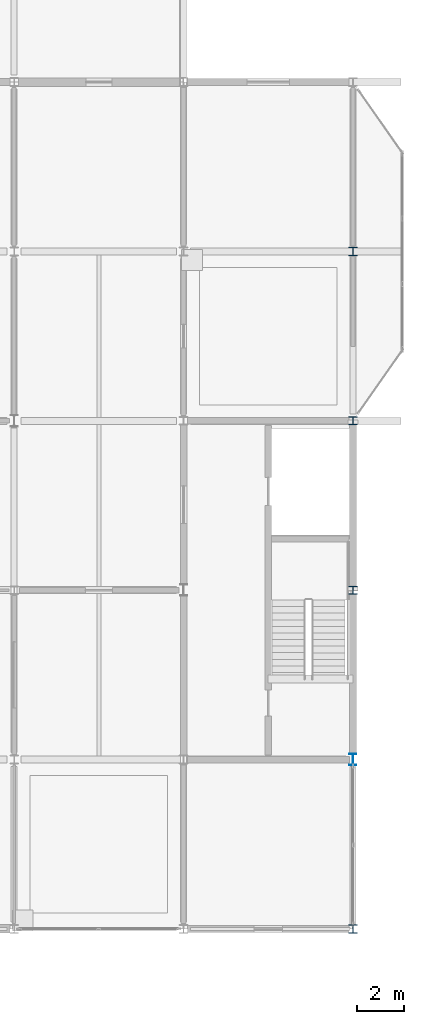
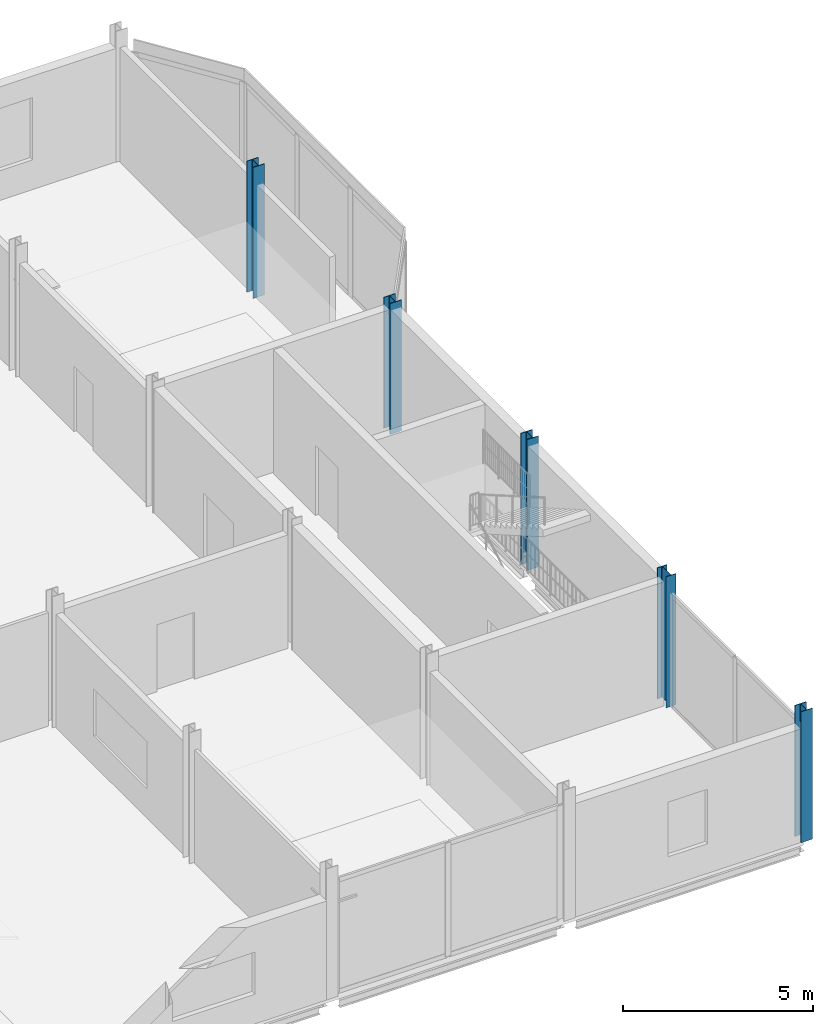
# One storey, part 3 of 26: 5 columns.
"""IFC4 building model written with IfcOpenShell, lengths in metres."""

from ifc_helpers import new_model, si_unit, direction, frame, origin, origin_2d, place, context, subcontext, project, spatial, i_section, extrude, material, material_profile, profile_set, type_object, element, save


model = new_model("IFC4")

# Units and contexts
model_context = context("Model", 3, precision=1e-05, world=origin(), true_north=direction((0.0, 1.0)))
body_context = subcontext(model_context, "Body", "Model", "MODEL_VIEW")
ifc_project = project(units=[si_unit("LENGTHUNIT", "METRE"), si_unit("AREAUNIT", "SQUARE_METRE"), si_unit("VOLUMEUNIT", "CUBIC_METRE"), si_unit("PLANEANGLEUNIT", "RADIAN"), si_unit("MASSUNIT", "GRAM", prefix="KILO")], contexts=[model_context])

# Site, building, storey
site_placement = place(None, origin())
site = spatial("IfcSite", under=ifc_project, at=site_placement, CompositionType="ELEMENT")
building_placement = place(site_placement, origin())
building = spatial("IfcBuilding", under=site, at=building_placement, Name="Vesperath Aquatics Centre", CompositionType="ELEMENT")
storey_placement = place(building_placement, frame((0.0, 0.0, 19.199951171875)))
storey = spatial("IfcBuildingStorey", under=building, at=storey_placement, Name="L04", CompositionType="ELEMENT", Elevation=19.199951171875)

# Columns
ifc_material_1 = material(Name="Steel Q355C", Category="steel")
ifc_material_profile_1 = material_profile(ifc_material_1, i_section(OverallWidth=0.35009765625, OverallDepth=0.35009765625, WebThickness=0.011962890625, FlangeThickness=0.01904296875, FilletRadius=0.02001953125, at=origin_2d()), Name="HW 350x350x12x19")
ifc_profile_set_1 = profile_set([ifc_material_profile_1], Name="Steel Q355C")
column_type_1 = type_object("IfcColumnType", Name="CL-C11", PredefinedType="COLUMN", material=ifc_profile_set_1)
for number, where, z_axis, x_axis, name in (
    (1, (172.800048828125, 0.0, 0.0), (0.0, 0.0, 1.0), (1.0, 0.0, 0.0), "Column C11 L04 25/A"),
    (2, (172.800048828125, 14.39990234375, 0.0), (0.0, 0.0, 1.0), (1.0, 0.0, 0.0), "Column C11 L04 25/C"),
    (3, (172.800048828125, 21.60009765625, 0.0), (0.0, 0.0, 1.0), (1.0, 0.0, 0.0), "Column C11 L04 25/D"),
    (4, (172.800048828125, 28.800048828125, 0.0), (0.0, 0.0, 1.0), (1.0, 0.0, 0.0), "Column C11 L04 25/E"),
):
    element("IfcColumn", number, at=place(storey_placement, frame(where, z_axis=z_axis, x_axis=x_axis)), inside=storey, type_object=column_type_1, Name=name, PredefinedType="COLUMN", context=body_context, shape_type="SweptSolid", body=[
        extrude(i_section(OverallWidth=0.35009765625, OverallDepth=0.35009765625, WebThickness=0.011962890625, FlangeThickness=0.01904296875, FilletRadius=0.02001953125, at=origin_2d()), origin(), (0.0, 0.0, 1.0), 4.199951171875),
    ])
ifc_material_2 = material(Name="Steel Q355D", Category="steel")
ifc_material_profile_2 = material_profile(ifc_material_2, i_section(OverallWidth=0.300048828125, OverallDepth=0.488037109375, WebThickness=0.010986328125, FlangeThickness=0.01806640625, FilletRadius=0.02587890625, at=origin_2d()), Name="HM 488x300x11x18")
ifc_profile_set_2 = profile_set([ifc_material_profile_2], Name="Steel Q355D")
column_type_2 = type_object("IfcColumnType", Name="CL-C18", PredefinedType="COLUMN", material=ifc_profile_set_2)
column_placement = place(storey_placement, frame((172.800048828125, 7.199951171875, 0.0), z_axis=(0.0, 0.0, 1.0), x_axis=(1.0, 0.0, 0.0)))
element("IfcColumn", 5, at=column_placement, inside=storey, type_object=column_type_2, Name="Column C18 L04 25/B", PredefinedType="COLUMN", context=body_context, shape_type="SweptSolid", body=[
    extrude(i_section(OverallWidth=0.300048828125, OverallDepth=0.488037109375, WebThickness=0.010986328125, FlangeThickness=0.01806640625, FilletRadius=0.02587890625, at=origin_2d()), origin(), (0.0, 0.0, 1.0), 4.199951171875),
])

save(model, "model.ifc")
